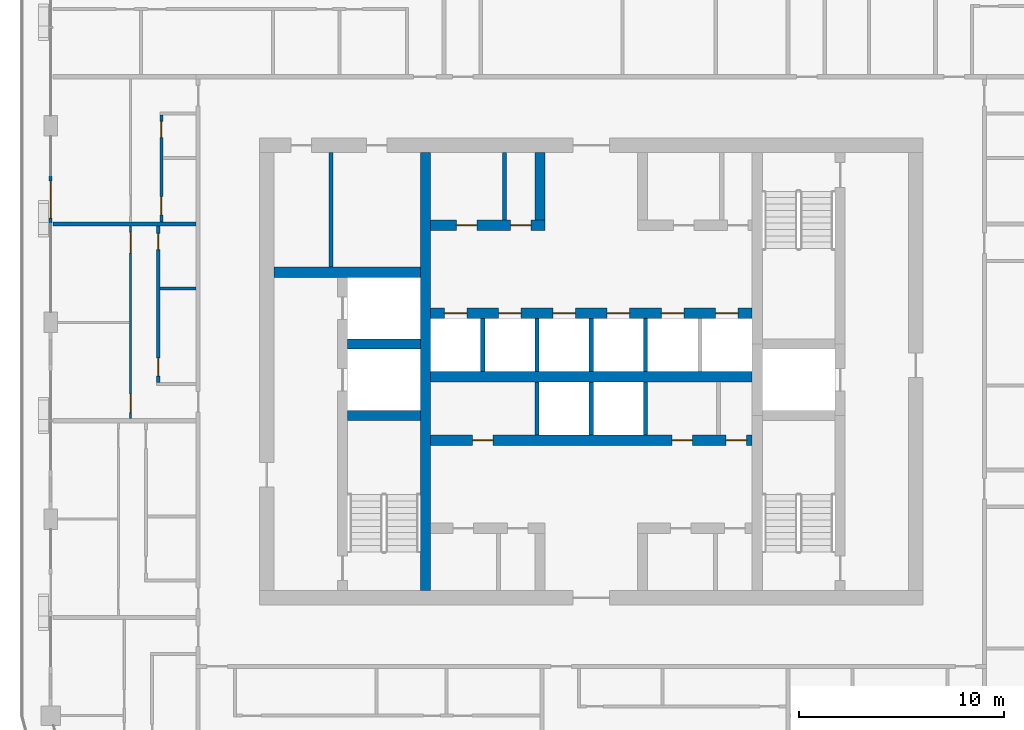
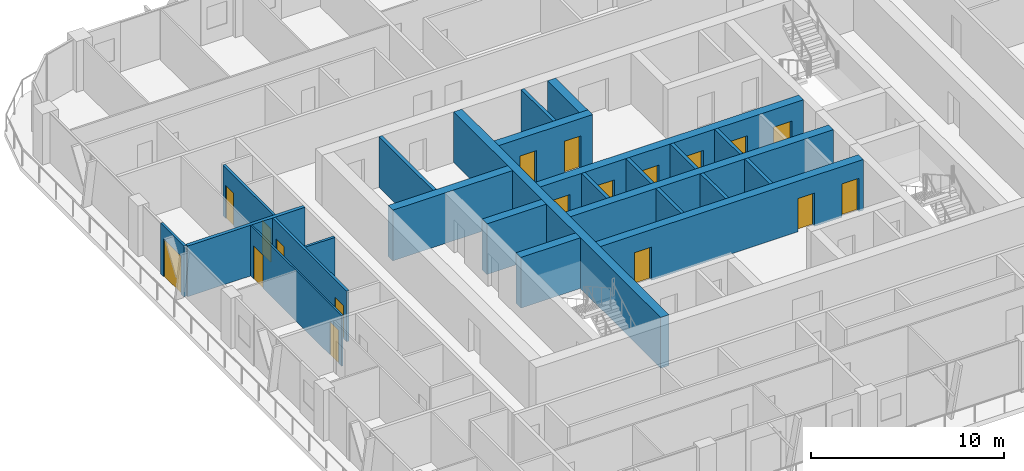
# One storey, part 11 of 23: 24 walls, 18 doors, 18 openings.
"""IFC4 building model written with IfcOpenShell, lengths in metres."""

from ifc_helpers import new_model, si_unit, direction, frame, frame_2d, origin, place, context, subcontext, project, spatial, rectangle, extrude, material, layer, layer_set, type_object, element, fill, save


model = new_model("IFC4")

# Units and contexts
model_context = context("Model", 3, precision=1e-05, world=origin(), true_north=direction((0.0, 1.0)))
body_context = subcontext(model_context, "Body", "Model", "MODEL_VIEW")
ifc_project = project(units=[si_unit("LENGTHUNIT", "METRE"), si_unit("AREAUNIT", "SQUARE_METRE"), si_unit("VOLUMEUNIT", "CUBIC_METRE"), si_unit("PLANEANGLEUNIT", "RADIAN"), si_unit("MASSUNIT", "GRAM", prefix="KILO")], contexts=[model_context])

# Site, building, storey
site_placement = place(None, origin())
site = spatial("IfcSite", under=ifc_project, at=site_placement, CompositionType="ELEMENT")
building_placement = place(site_placement, origin())
building = spatial("IfcBuilding", under=site, at=building_placement, Name="Madar Terraces", CompositionType="ELEMENT")
storey_placement = place(building_placement, frame((0.0, 0.0, 215.800048828125)))
storey = spatial("IfcBuildingStorey", under=building, at=storey_placement, Name="L56", CompositionType="ELEMENT", Elevation=215.800048828125)

# Walls
ifc_material_1 = material(Name="Concrete C60/75", Category="concrete")
ifc_layer_1 = layer(ifc_material_1, 0.5)
ifc_layer_set_1 = layer_set([ifc_layer_1], Name="Concrete C60/75 (CIW4 RC wall 500)")
wall_type_1 = type_object("IfcWallType", Name="CIW4 RC wall 500", PredefinedType="SHEAR", material=ifc_layer_set_1)
wall_1_placement = place(storey_placement, frame((23.10009765625, 15.699951171875, 0.0), z_axis=(0.0, 0.0, 1.0), x_axis=(0.0, 1.0, 0.0)))
element("IfcWall", 1, at=wall_1_placement, inside=storey, type_object=wall_type_1, Name="CORE SHAFT WALL", PredefinedType="SHEAR", context=body_context, shape_type="SweptSolid", body=[
    extrude(rectangle(XDim=21.400146484375, YDim=0.5, at=frame_2d((10.7001953125, 0.0))), origin(), (0.0, 0.0, 1.0), 3.199951171875),
])
for number, where, z_axis, x_axis, name in (
    (2, (19.300048828125, 24.25, 0.0), (0.0, 0.0, 1.0), (1.0, 0.0, 0.0), "CORE SHAFT WALL"),
    (3, (19.300048828125, 27.75, 0.0), (0.0, 0.0, 1.0), (1.0, 0.0, 0.0), "CORE SHAFT WALL"),
):
    element("IfcWall", number, at=place(storey_placement, frame(where, z_axis=z_axis, x_axis=x_axis)), inside=storey, type_object=wall_type_1, Name=name, PredefinedType="SHEAR", context=body_context, shape_type="SweptSolid", body=[
        extrude(rectangle(XDim=3.550048828125, YDim=0.5, at=frame_2d((1.77490234375, 0.0))), origin(), (0.0, 0.0, 1.0), 3.199951171875),
    ])
wall_2_placement = place(storey_placement, frame((15.699951171875, 31.25, 0.0), z_axis=(0.0, 0.0, 1.0), x_axis=(1.0, 0.0, 0.0)))
element("IfcWall", 4, at=wall_2_placement, inside=storey, type_object=wall_type_1, Name="CORE SHAFT WALL", PredefinedType="SHEAR", context=body_context, shape_type="SweptSolid", body=[
    extrude(rectangle(XDim=7.150146484375, YDim=0.5, at=frame_2d((3.5751953125, 0.0))), origin(), (0.0, 0.0, 1.0), 3.199951171875),
])

# Wall, openings, doors
wall_3_placement = place(storey_placement, frame((23.35009765625, 23.050048828125, 0.0), z_axis=(0.0, 0.0, 1.0), x_axis=(1.0, 0.0, 0.0)))
wall_3 = element("IfcWall", 5, at=wall_3_placement, inside=storey, type_object=wall_type_1, Name="CORE SHAFT WALL", PredefinedType="SHEAR", context=body_context, shape_type="SweptSolid", body=[
    extrude(rectangle(XDim=15.699951171875, YDim=0.5, at=frame_2d((7.85009765625, 0.0))), origin(), (0.0, 0.0, 1.0), 3.199951171875),
])
opening_1_placement = place(wall_3_placement, frame((2.050048828125, 0.0, 0.0)))
opening_1 = element("IfcOpeningElement", 6, at=opening_1_placement, cuts=wall_3, Name="Opening KD2", PredefinedType="OPENING", context=body_context, shape_type="SweptSolid", body=[
    extrude(rectangle(XDim=1.0, YDim=2.10009765625, at=frame_2d((0.5, 1.050048828125))), frame((0.0, 0.260009765625, 0.0), z_axis=(0.0, -1.0, 0.0), x_axis=(1.0, 0.0, 0.0)), (0.0, 0.0, 1.0), 0.52001953125),
])
opening_2_placement = place(wall_3_placement, frame((11.783935546875, 0.0, 0.0)))
opening_2 = element("IfcOpeningElement", 7, at=opening_2_placement, cuts=wall_3, Name="Opening KD2", PredefinedType="OPENING", context=body_context, shape_type="SweptSolid", body=[
    extrude(rectangle(XDim=1.0, YDim=2.10009765625, at=frame_2d((0.5, 1.050048828125))), frame((0.0, 0.260009765625, 0.0), z_axis=(0.0, -1.0, 0.0), x_axis=(1.0, 0.0, 0.0)), (0.0, 0.0, 1.0), 0.52001953125),
])
opening_3_placement = place(wall_3_placement, frame((14.43408203125, 0.0, 0.0)))
opening_3 = element("IfcOpeningElement", 8, at=opening_3_placement, cuts=wall_3, Name="Opening KD2", PredefinedType="OPENING", context=body_context, shape_type="SweptSolid", body=[
    extrude(rectangle(XDim=1.0, YDim=2.10009765625, at=frame_2d((0.5, 1.050048828125))), frame((0.0, 0.260009765625, 0.0), z_axis=(0.0, -1.0, 0.0), x_axis=(1.0, 0.0, 0.0)), (0.0, 0.0, 1.0), 0.52001953125),
])
ifc_material_2 = material(Name="Steel door leaf", Category="steel")
door_type_1 = type_object("IfcDoorType", Name="Service room door 1000 x 2100", OperationType="NOTDEFINED", PredefinedType="DOOR", material=ifc_material_2)
door_1_placement = place(opening_1_placement, frame((1.0, 0.0, 0.0), z_axis=(0.0, 0.0, 1.0), x_axis=(-1.0, 0.0, 0.0)))
door_1 = element("IfcDoor", 9, at=door_1_placement, inside=storey, type_object=door_type_1, Name="SERVICE ROOM DOOR", OperationType="SINGLE_SWING_LEFT", OverallHeight=2.10009765625, OverallWidth=1.0, PredefinedType="DOOR", context=body_context, shape_type="SweptSolid", body=[
    extrude(rectangle(XDim=1.0, YDim=2.10009765625, at=frame_2d((0.5, 1.050048828125))), frame((0.0, 0.02490234375, 0.0), z_axis=(0.0, -1.0, 0.0), x_axis=(1.0, 0.0, 0.0)), (0.0, 0.0, 1.0), 0.050048828125),
])
fill(opening_1, door_1)
door_2_placement = place(opening_2_placement, frame((1.0, 0.0, 0.0), z_axis=(0.0, 0.0, 1.0), x_axis=(-1.0, 0.0, 0.0)))
door_2 = element("IfcDoor", 10, at=door_2_placement, inside=storey, type_object=door_type_1, Name="SERVICE ROOM DOOR", OperationType="SINGLE_SWING_RIGHT", OverallHeight=2.10009765625, OverallWidth=1.0, PredefinedType="DOOR", context=body_context, shape_type="SweptSolid", body=[
    extrude(rectangle(XDim=1.0, YDim=2.10009765625, at=frame_2d((0.5, 1.050048828125))), frame((0.0, 0.02490234375, 0.0), z_axis=(0.0, -1.0, 0.0), x_axis=(1.0, 0.0, 0.0)), (0.0, 0.0, 1.0), 0.050048828125),
])
fill(opening_2, door_2)
door_3_placement = place(opening_3_placement, frame((1.0, 0.0, 0.0), z_axis=(0.0, 0.0, 1.0), x_axis=(-1.0, 0.0, 0.0)))
door_3 = element("IfcDoor", 11, at=door_3_placement, inside=storey, type_object=door_type_1, Name="SERVICE ROOM DOOR", OperationType="SINGLE_SWING_LEFT", OverallHeight=2.10009765625, OverallWidth=1.0, PredefinedType="DOOR", context=body_context, shape_type="SweptSolid", body=[
    extrude(rectangle(XDim=1.0, YDim=2.10009765625, at=frame_2d((0.5, 1.050048828125))), frame((0.0, 0.02490234375, 0.0), z_axis=(0.0, -1.0, 0.0), x_axis=(1.0, 0.0, 0.0)), (0.0, 0.0, 1.0), 0.050048828125),
])
fill(opening_3, door_3)

# Wall
wall_4_placement = place(storey_placement, frame((23.35009765625, 26.14990234375, 0.0), z_axis=(0.0, 0.0, 1.0), x_axis=(1.0, 0.0, 0.0)))
element("IfcWall", 12, at=wall_4_placement, inside=storey, type_object=wall_type_1, Name="CORE SHAFT WALL", PredefinedType="SHEAR", context=body_context, shape_type="SweptSolid", body=[
    extrude(rectangle(XDim=15.699951171875, YDim=0.5, at=frame_2d((7.85009765625, 0.0))), origin(), (0.0, 0.0, 1.0), 3.199951171875),
])

# Wall, openings, doors
wall_5_placement = place(storey_placement, frame((23.35009765625, 29.25, 0.0), z_axis=(0.0, 0.0, 1.0), x_axis=(1.0, 0.0, 0.0)))
wall_5 = element("IfcWall", 13, at=wall_5_placement, inside=storey, type_object=wall_type_1, Name="CORE SHAFT WALL", PredefinedType="SHEAR", context=body_context, shape_type="SweptSolid", body=[
    extrude(rectangle(XDim=15.699951171875, YDim=0.5, at=frame_2d((7.85009765625, 0.0))), origin(), (0.0, 0.0, 1.0), 3.199951171875),
])
opening_4_placement = place(wall_5_placement, frame((0.675048828125, 0.0, 0.0)))
opening_4 = element("IfcOpeningElement", 14, at=opening_4_placement, cuts=wall_5, Name="Opening LD", PredefinedType="OPENING", context=body_context, shape_type="SweptSolid", body=[
    extrude(rectangle(XDim=1.10009765625, YDim=2.10009765625, at=frame_2d((0.550048828125, 1.050048828125))), frame((0.0, 0.260009765625, 0.0), z_axis=(0.0, -1.0, 0.0), x_axis=(1.0, 0.0, 0.0)), (0.0, 0.0, 1.0), 0.52001953125),
])
opening_5_placement = place(wall_5_placement, frame((3.324951171875, 0.0, 0.0)))
opening_5 = element("IfcOpeningElement", 15, at=opening_5_placement, cuts=wall_5, Name="Opening LD", PredefinedType="OPENING", context=body_context, shape_type="SweptSolid", body=[
    extrude(rectangle(XDim=1.10009765625, YDim=2.10009765625, at=frame_2d((0.550048828125, 1.050048828125))), frame((0.0, 0.260009765625, 0.0), z_axis=(0.0, -1.0, 0.0), x_axis=(1.0, 0.0, 0.0)), (0.0, 0.0, 1.0), 0.52001953125),
])
opening_6_placement = place(wall_5_placement, frame((5.97509765625, 0.0, 0.0)))
opening_6 = element("IfcOpeningElement", 16, at=opening_6_placement, cuts=wall_5, Name="Opening LD", PredefinedType="OPENING", context=body_context, shape_type="SweptSolid", body=[
    extrude(rectangle(XDim=1.10009765625, YDim=2.10009765625, at=frame_2d((0.550048828125, 1.050048828125))), frame((0.0, 0.260009765625, 0.0), z_axis=(0.0, -1.0, 0.0), x_axis=(1.0, 0.0, 0.0)), (0.0, 0.0, 1.0), 0.52001953125),
])
opening_7_placement = place(wall_5_placement, frame((8.625, 0.0, 0.0)))
opening_7 = element("IfcOpeningElement", 17, at=opening_7_placement, cuts=wall_5, Name="Opening LD", PredefinedType="OPENING", context=body_context, shape_type="SweptSolid", body=[
    extrude(rectangle(XDim=1.10009765625, YDim=2.10009765625, at=frame_2d((0.550048828125, 1.050048828125))), frame((0.0, 0.260009765625, 0.0), z_axis=(0.0, -1.0, 0.0), x_axis=(1.0, 0.0, 0.0)), (0.0, 0.0, 1.0), 0.52001953125),
])
opening_8_placement = place(wall_5_placement, frame((11.27490234375, 0.0, 0.0)))
opening_8 = element("IfcOpeningElement", 18, at=opening_8_placement, cuts=wall_5, Name="Opening LD", PredefinedType="OPENING", context=body_context, shape_type="SweptSolid", body=[
    extrude(rectangle(XDim=1.10009765625, YDim=2.10009765625, at=frame_2d((0.550048828125, 1.050048828125))), frame((0.0, 0.260009765625, 0.0), z_axis=(0.0, -1.0, 0.0), x_axis=(1.0, 0.0, 0.0)), (0.0, 0.0, 1.0), 0.52001953125),
])
opening_9_placement = place(wall_5_placement, frame((13.925048828125, 0.0, 0.0)))
opening_9 = element("IfcOpeningElement", 19, at=opening_9_placement, cuts=wall_5, Name="Opening LD", PredefinedType="OPENING", context=body_context, shape_type="SweptSolid", body=[
    extrude(rectangle(XDim=1.10009765625, YDim=2.10009765625, at=frame_2d((0.550048828125, 1.050048828125))), frame((0.0, 0.260009765625, 0.0), z_axis=(0.0, -1.0, 0.0), x_axis=(1.0, 0.0, 0.0)), (0.0, 0.0, 1.0), 0.52001953125),
])
ifc_material_3 = material(Name="Stainless steel panel", Category="steel")
door_type_2 = type_object("IfcDoorType", Name="Lift landing door 1100 x 2100", OperationType="DOUBLE_DOOR_SLIDING", PredefinedType="DOOR", material=ifc_material_3)
door_4_placement = place(opening_4_placement, origin())
door_4 = element("IfcDoor", 20, at=door_4_placement, inside=storey, type_object=door_type_2, Name="LIFT LANDING DOOR", OperationType="DOUBLE_DOOR_SLIDING", OverallHeight=2.10009765625, OverallWidth=1.10009765625, PredefinedType="DOOR", context=body_context, shape_type="SweptSolid", body=[
    extrude(rectangle(XDim=1.10009765625, YDim=2.10009765625, at=frame_2d((0.550048828125, 1.050048828125))), frame((0.0, 0.02490234375, 0.0), z_axis=(0.0, -1.0, 0.0), x_axis=(1.0, 0.0, 0.0)), (0.0, 0.0, 1.0), 0.050048828125),
])
fill(opening_4, door_4)
door_5_placement = place(opening_5_placement, origin())
door_5 = element("IfcDoor", 21, at=door_5_placement, inside=storey, type_object=door_type_2, Name="LIFT LANDING DOOR", OperationType="DOUBLE_DOOR_SLIDING", OverallHeight=2.10009765625, OverallWidth=1.10009765625, PredefinedType="DOOR", context=body_context, shape_type="SweptSolid", body=[
    extrude(rectangle(XDim=1.10009765625, YDim=2.10009765625, at=frame_2d((0.550048828125, 1.050048828125))), frame((0.0, 0.02490234375, 0.0), z_axis=(0.0, -1.0, 0.0), x_axis=(1.0, 0.0, 0.0)), (0.0, 0.0, 1.0), 0.050048828125),
])
fill(opening_5, door_5)
door_6_placement = place(opening_6_placement, origin())
door_6 = element("IfcDoor", 22, at=door_6_placement, inside=storey, type_object=door_type_2, Name="LIFT LANDING DOOR", OperationType="DOUBLE_DOOR_SLIDING", OverallHeight=2.10009765625, OverallWidth=1.10009765625, PredefinedType="DOOR", context=body_context, shape_type="SweptSolid", body=[
    extrude(rectangle(XDim=1.10009765625, YDim=2.10009765625, at=frame_2d((0.550048828125, 1.050048828125))), frame((0.0, 0.02490234375, 0.0), z_axis=(0.0, -1.0, 0.0), x_axis=(1.0, 0.0, 0.0)), (0.0, 0.0, 1.0), 0.050048828125),
])
fill(opening_6, door_6)
door_7_placement = place(opening_7_placement, origin())
door_7 = element("IfcDoor", 23, at=door_7_placement, inside=storey, type_object=door_type_2, Name="LIFT LANDING DOOR", OperationType="DOUBLE_DOOR_SLIDING", OverallHeight=2.10009765625, OverallWidth=1.10009765625, PredefinedType="DOOR", context=body_context, shape_type="SweptSolid", body=[
    extrude(rectangle(XDim=1.10009765625, YDim=2.10009765625, at=frame_2d((0.550048828125, 1.050048828125))), frame((0.0, 0.02490234375, 0.0), z_axis=(0.0, -1.0, 0.0), x_axis=(1.0, 0.0, 0.0)), (0.0, 0.0, 1.0), 0.050048828125),
])
fill(opening_7, door_7)
door_8_placement = place(opening_8_placement, origin())
door_8 = element("IfcDoor", 24, at=door_8_placement, inside=storey, type_object=door_type_2, Name="LIFT LANDING DOOR", OperationType="DOUBLE_DOOR_SLIDING", OverallHeight=2.10009765625, OverallWidth=1.10009765625, PredefinedType="DOOR", context=body_context, shape_type="SweptSolid", body=[
    extrude(rectangle(XDim=1.10009765625, YDim=2.10009765625, at=frame_2d((0.550048828125, 1.050048828125))), frame((0.0, 0.02490234375, 0.0), z_axis=(0.0, -1.0, 0.0), x_axis=(1.0, 0.0, 0.0)), (0.0, 0.0, 1.0), 0.050048828125),
])
fill(opening_8, door_8)
door_9_placement = place(opening_9_placement, origin())
door_9 = element("IfcDoor", 25, at=door_9_placement, inside=storey, type_object=door_type_2, Name="LIFT LANDING DOOR", OperationType="DOUBLE_DOOR_SLIDING", OverallHeight=2.10009765625, OverallWidth=1.10009765625, PredefinedType="DOOR", context=body_context, shape_type="SweptSolid", body=[
    extrude(rectangle(XDim=1.10009765625, YDim=2.10009765625, at=frame_2d((0.550048828125, 1.050048828125))), frame((0.0, 0.02490234375, 0.0), z_axis=(0.0, -1.0, 0.0), x_axis=(1.0, 0.0, 0.0)), (0.0, 0.0, 1.0), 0.050048828125),
])
fill(opening_9, door_9)

wall_6_placement = place(storey_placement, frame((23.35009765625, 33.550048828125, 0.0), z_axis=(0.0, 0.0, 1.0), x_axis=(1.0, 0.0, 0.0)))
wall_6 = element("IfcWall", 26, at=wall_6_placement, inside=storey, type_object=wall_type_1, Name="CORE SHAFT WALL", PredefinedType="SHEAR", context=body_context, shape_type="SweptSolid", body=[
    extrude(rectangle(XDim=5.599853515625, YDim=0.5, at=frame_2d((2.7998046875, 0.0))), origin(), (0.0, 0.0, 1.0), 3.199951171875),
])
opening_10_placement = place(wall_6_placement, frame((1.260498046875, 0.0, 0.0)))
opening_10 = element("IfcOpeningElement", 27, at=opening_10_placement, cuts=wall_6, Name="Opening KD2", PredefinedType="OPENING", context=body_context, shape_type="SweptSolid", body=[
    extrude(rectangle(XDim=1.0, YDim=2.10009765625, at=frame_2d((0.5, 1.050048828125))), frame((0.0, 0.260009765625, 0.0), z_axis=(0.0, -1.0, 0.0), x_axis=(1.0, 0.0, 0.0)), (0.0, 0.0, 1.0), 0.52001953125),
])
opening_11_placement = place(wall_6_placement, frame((3.910400390625, 0.0, 0.0)))
opening_11 = element("IfcOpeningElement", 28, at=opening_11_placement, cuts=wall_6, Name="Opening KD2", PredefinedType="OPENING", context=body_context, shape_type="SweptSolid", body=[
    extrude(rectangle(XDim=1.0, YDim=2.10009765625, at=frame_2d((0.5, 1.050048828125))), frame((0.0, 0.260009765625, 0.0), z_axis=(0.0, -1.0, 0.0), x_axis=(1.0, 0.0, 0.0)), (0.0, 0.0, 1.0), 0.52001953125),
])
door_10_placement = place(opening_10_placement, frame((1.0, 0.0, 0.0), z_axis=(0.0, 0.0, 1.0), x_axis=(-1.0, 0.0, 0.0)))
door_10 = element("IfcDoor", 29, at=door_10_placement, inside=storey, type_object=door_type_1, Name="SERVICE ROOM DOOR", OperationType="SINGLE_SWING_RIGHT", OverallHeight=2.10009765625, OverallWidth=1.0, PredefinedType="DOOR", context=body_context, shape_type="SweptSolid", body=[
    extrude(rectangle(XDim=1.0, YDim=2.10009765625, at=frame_2d((0.5, 1.050048828125))), frame((0.0, 0.02490234375, 0.0), z_axis=(0.0, -1.0, 0.0), x_axis=(1.0, 0.0, 0.0)), (0.0, 0.0, 1.0), 0.050048828125),
])
fill(opening_10, door_10)
door_11_placement = place(opening_11_placement, frame((1.0, 0.0, 0.0), z_axis=(0.0, 0.0, 1.0), x_axis=(-1.0, 0.0, 0.0)))
door_11 = element("IfcDoor", 30, at=door_11_placement, inside=storey, type_object=door_type_1, Name="SERVICE ROOM DOOR", OperationType="SINGLE_SWING_LEFT", OverallHeight=2.10009765625, OverallWidth=1.0, PredefinedType="DOOR", context=body_context, shape_type="SweptSolid", body=[
    extrude(rectangle(XDim=1.0, YDim=2.10009765625, at=frame_2d((0.5, 1.050048828125))), frame((0.0, 0.02490234375, 0.0), z_axis=(0.0, -1.0, 0.0), x_axis=(1.0, 0.0, 0.0)), (0.0, 0.0, 1.0), 0.050048828125),
])
fill(opening_11, door_11)

# Walls
wall_7_placement = place(storey_placement, frame((28.699951171875, 33.800048828125, 0.0), z_axis=(0.0, 0.0, 1.0), x_axis=(0.0, 1.0, 0.0)))
element("IfcWall", 31, at=wall_7_placement, inside=storey, type_object=wall_type_1, Name="CORE SHAFT WALL", PredefinedType="SHEAR", context=body_context, shape_type="SweptSolid", body=[
    extrude(rectangle(XDim=3.300048828125, YDim=0.5, at=frame_2d((1.64990234375, 0.0))), origin(), (0.0, 0.0, 1.0), 3.199951171875),
])
ifc_material_4 = material(Name="Masonry blockwork", Category="masonry")
ifc_layer_2 = layer(ifc_material_4, 0.199951171875)
ifc_layer_set_2 = layer_set([ifc_layer_2], Name="Core partition 200 blockwork")
wall_type_2 = type_object("IfcWallType", Name="Core partition 200 blockwork", PredefinedType="PARTITIONING", material=ifc_layer_set_2)
wall_8_placement = place(storey_placement, frame((18.488525390625, 31.5, 0.0), z_axis=(0.0, 0.0, 1.0), x_axis=(0.0, 1.0, 0.0)))
element("IfcWall", 32, at=wall_8_placement, inside=storey, type_object=wall_type_2, Name="SERVICE ROOM PARTITION", PredefinedType="PARTITIONING", context=body_context, shape_type="SweptSolid", body=[
    extrude(rectangle(XDim=5.60009765625, YDim=0.199951171875, at=frame_2d((2.800048828125, 0.0))), origin(), (0.0, 0.0, 1.0), 3.199951171875),
])
wall_9_placement = place(storey_placement, frame((26.970947265625, 33.800048828125, 0.0), z_axis=(0.0, 0.0, 1.0), x_axis=(0.0, 1.0, 0.0)))
element("IfcWall", 33, at=wall_9_placement, inside=storey, type_object=wall_type_2, Name="SERVICE ROOM PARTITION", PredefinedType="PARTITIONING", context=body_context, shape_type="SweptSolid", body=[
    extrude(rectangle(XDim=3.300048828125, YDim=0.199951171875, at=frame_2d((1.64990234375, 0.0))), origin(), (0.0, 0.0, 1.0), 3.199951171875),
])
ifc_material_5 = material(Name="Concrete C40/50", Category="concrete")
ifc_layer_3 = layer(ifc_material_5, 0.199951171875)
ifc_layer_set_3 = layer_set([ifc_layer_3], Name="Core shaft dividing wall 200 C40/50")
wall_type_3 = type_object("IfcWallType", Name="Core shaft dividing wall 200 C40/50", PredefinedType="SOLIDWALL", material=ifc_layer_set_3)
wall_10_placement = place(storey_placement, frame((25.89990234375, 26.39990234375, 0.0), z_axis=(0.0, 0.0, 1.0), x_axis=(0.0, 1.0, 0.0)))
element("IfcWall", 34, at=wall_10_placement, inside=storey, type_object=wall_type_3, Name="SHAFT DIVIDING WALL", PredefinedType="SOLIDWALL", context=body_context, shape_type="SweptSolid", body=[
    extrude(rectangle(XDim=2.60009765625, YDim=0.199951171875, at=frame_2d((1.300048828125, 0.0))), origin(), (0.0, 0.0, 1.0), 3.199951171875),
])
wall_11_placement = place(storey_placement, frame((28.550048828125, 23.300048828125, 0.0), z_axis=(0.0, 0.0, 1.0), x_axis=(0.0, 1.0, 0.0)))
element("IfcWall", 35, at=wall_11_placement, inside=storey, type_object=wall_type_3, Name="SHAFT DIVIDING WALL", PredefinedType="SOLIDWALL", context=body_context, shape_type="SweptSolid", body=[
    extrude(rectangle(XDim=2.599853515625, YDim=0.199951171875, at=frame_2d((1.2998046875, 0.0))), origin(), (0.0, 0.0, 1.0), 3.199951171875),
])
wall_12_placement = place(storey_placement, frame((28.550048828125, 26.39990234375, 0.0), z_axis=(0.0, 0.0, 1.0), x_axis=(0.0, 1.0, 0.0)))
element("IfcWall", 36, at=wall_12_placement, inside=storey, type_object=wall_type_3, Name="SHAFT DIVIDING WALL", PredefinedType="SOLIDWALL", context=body_context, shape_type="SweptSolid", body=[
    extrude(rectangle(XDim=2.60009765625, YDim=0.199951171875, at=frame_2d((1.300048828125, 0.0))), origin(), (0.0, 0.0, 1.0), 3.199951171875),
])
wall_13_placement = place(storey_placement, frame((31.199951171875, 23.300048828125, 0.0), z_axis=(0.0, 0.0, 1.0), x_axis=(0.0, 1.0, 0.0)))
element("IfcWall", 37, at=wall_13_placement, inside=storey, type_object=wall_type_3, Name="SHAFT DIVIDING WALL", PredefinedType="SOLIDWALL", context=body_context, shape_type="SweptSolid", body=[
    extrude(rectangle(XDim=2.599853515625, YDim=0.199951171875, at=frame_2d((1.2998046875, 0.0))), origin(), (0.0, 0.0, 1.0), 3.199951171875),
])
wall_14_placement = place(storey_placement, frame((31.199951171875, 26.39990234375, 0.0), z_axis=(0.0, 0.0, 1.0), x_axis=(0.0, 1.0, 0.0)))
element("IfcWall", 38, at=wall_14_placement, inside=storey, type_object=wall_type_3, Name="SHAFT DIVIDING WALL", PredefinedType="SOLIDWALL", context=body_context, shape_type="SweptSolid", body=[
    extrude(rectangle(XDim=2.60009765625, YDim=0.199951171875, at=frame_2d((1.300048828125, 0.0))), origin(), (0.0, 0.0, 1.0), 3.199951171875),
])
wall_15_placement = place(storey_placement, frame((33.85009765625, 23.300048828125, 0.0), z_axis=(0.0, 0.0, 1.0), x_axis=(0.0, 1.0, 0.0)))
element("IfcWall", 39, at=wall_15_placement, inside=storey, type_object=wall_type_3, Name="SHAFT DIVIDING WALL", PredefinedType="SOLIDWALL", context=body_context, shape_type="SweptSolid", body=[
    extrude(rectangle(XDim=2.599853515625, YDim=0.199951171875, at=frame_2d((1.2998046875, 0.0))), origin(), (0.0, 0.0, 1.0), 3.199951171875),
])
wall_16_placement = place(storey_placement, frame((33.85009765625, 26.39990234375, 0.0), z_axis=(0.0, 0.0, 1.0), x_axis=(0.0, 1.0, 0.0)))
element("IfcWall", 40, at=wall_16_placement, inside=storey, type_object=wall_type_3, Name="SHAFT DIVIDING WALL", PredefinedType="SOLIDWALL", context=body_context, shape_type="SweptSolid", body=[
    extrude(rectangle(XDim=2.60009765625, YDim=0.199951171875, at=frame_2d((1.300048828125, 0.0))), origin(), (0.0, 0.0, 1.0), 3.199951171875),
])

# Wall, opening, door
ifc_material_6 = material(Name="Aluminium composite panel, black, over insulated backing", Category="aluminium")
ifc_layer_4 = layer(ifc_material_6, 0.14990234375)
ifc_layer_set_4 = layer_set([ifc_layer_4], Name="Facade bay panel 150")
wall_type_4 = type_object("IfcWallType", Name="Facade bay panel 150", PredefinedType="SOLIDWALL", material=ifc_layer_set_4)
wall_17_placement = place(storey_placement, frame((4.800048828125, 36.0, 0.0), z_axis=(0.0, 0.0, 1.0), x_axis=(0.0, -1.0, 0.0)))
wall_17 = element("IfcWall", 41, at=wall_17_placement, inside=storey, type_object=wall_type_4, Name="Facade bay panel", PredefinedType="SOLIDWALL", context=body_context, shape_type="SweptSolid", body=[
    extrude(rectangle(XDim=2.39990234375, YDim=0.14990234375, at=frame_2d((1.199951171875, 0.0))), origin(), (0.0, 0.0, 1.0), 3.199951171875),
])
opening_12_placement = place(wall_17_placement, frame((0.300048828125, 0.0, 0.0)))
opening_12 = element("IfcOpeningElement", 42, at=opening_12_placement, cuts=wall_17, Name="Opening ED1", PredefinedType="OPENING", context=body_context, shape_type="SweptSolid", body=[
    extrude(rectangle(XDim=1.800048828125, YDim=2.39990234375, at=frame_2d((0.89990234375, 1.199951171875))), frame((0.0, 0.0849609375, 0.0), z_axis=(0.0, -1.0, 0.0), x_axis=(1.0, 0.0, 0.0)), (0.0, 0.0, 1.0), 0.169921875),
])
ifc_material_7 = material(Name="Glass, clear, with black aluminium frame", Category="aluminium")
door_type_3 = type_object("IfcDoorType", Name="Balcony and terrace sliding door 1800 x 2400", OperationType="SLIDING_TO_LEFT", PredefinedType="DOOR", material=ifc_material_7)
door_12_placement = place(opening_12_placement, origin())
door_12 = element("IfcDoor", 43, at=door_12_placement, inside=storey, type_object=door_type_3, Name="Balcony door", OperationType="SLIDING_TO_LEFT", OverallHeight=2.39990234375, OverallWidth=1.800048828125, PredefinedType="DOOR", context=body_context, shape_type="SweptSolid", body=[
    extrude(rectangle(XDim=1.800048828125, YDim=2.39990234375, at=frame_2d((0.89990234375, 1.199951171875))), frame((0.0, 0.02490234375, 0.0), z_axis=(0.0, -1.0, 0.0), x_axis=(1.0, 0.0, 0.0)), (0.0, 0.0, 1.0), 0.050048828125),
])
fill(opening_12, door_12)

# Wall, openings, doors
ifc_material_8 = material(Name="Gypsum board on steel studs", Category="steel")
ifc_layer_5 = layer(ifc_material_8, 0.10009765625)
ifc_layer_set_5 = layer_set([ifc_layer_5], Name="Flat partition 100")
wall_type_5 = type_object("IfcWallType", Name="Flat partition 100", PredefinedType="PARTITIONING", material=ifc_layer_set_5)
wall_18_placement = place(storey_placement, frame((8.699951171875, 24.10009765625, 0.0), z_axis=(0.0, 0.0, 1.0), x_axis=(0.0, 1.0, 0.0)))
wall_18 = element("IfcWall", 44, at=wall_18_placement, inside=storey, type_object=wall_type_5, Name="Flat partition 100", PredefinedType="PARTITIONING", context=body_context, shape_type="SweptSolid", body=[
    extrude(rectangle(XDim=9.39990234375, YDim=0.10009765625, at=frame_2d((4.699951171875, 0.0))), origin(), (0.0, 0.0, 1.0), 3.199951171875),
])
opening_13_placement = place(wall_18_placement, frame((0.300048828125, 0.0, 0.0)))
opening_13 = element("IfcOpeningElement", 45, at=opening_13_placement, cuts=wall_18, Name="Opening D2", PredefinedType="OPENING", context=body_context, shape_type="SweptSolid", body=[
    extrude(rectangle(XDim=0.89990234375, YDim=2.10009765625, at=frame_2d((0.449951171875, 1.050048828125))), frame((0.0, 0.06005859375, 0.0), z_axis=(0.0, -1.0, 0.0), x_axis=(1.0, 0.0, 0.0)), (0.0, 0.0, 1.0), 0.1201171875),
])
opening_14_placement = place(wall_18_placement, frame((8.10009765625, 0.0, 0.0)))
opening_14 = element("IfcOpeningElement", 46, at=opening_14_placement, cuts=wall_18, Name="Opening D3", PredefinedType="OPENING", context=body_context, shape_type="SweptSolid", body=[
    extrude(rectangle(XDim=1.0, YDim=2.10009765625, at=frame_2d((0.5, 1.050048828125))), frame((0.0, 0.06005859375, 0.0), z_axis=(0.0, -1.0, 0.0), x_axis=(1.0, 0.0, 0.0)), (0.0, 0.0, 1.0), 0.1201171875),
])
ifc_material_9 = material(Name="Timber door leaf", Category="wood")
door_type_4 = type_object("IfcDoorType", Name="Flat living room door 1000", OperationType="NOTDEFINED", PredefinedType="DOOR", material=ifc_material_9)
door_13_placement = place(opening_14_placement, origin())
door_13 = element("IfcDoor", 47, at=door_13_placement, inside=storey, type_object=door_type_4, Name="Flat living room door 1000", OperationType="SINGLE_SWING_RIGHT", OverallHeight=2.10009765625, OverallWidth=1.0, PredefinedType="DOOR", context=body_context, shape_type="SweptSolid", body=[
    extrude(rectangle(XDim=1.0, YDim=2.10009765625, at=frame_2d((0.5, 1.050048828125))), frame((0.0, 0.02490234375, 0.0), z_axis=(0.0, -1.0, 0.0), x_axis=(1.0, 0.0, 0.0)), (0.0, 0.0, 1.0), 0.050048828125),
])
fill(opening_14, door_13)
ifc_material_10 = material(Name="Timber door leaf", Category="wood")
door_type_5 = type_object("IfcDoorType", Name="Flat room door 900", OperationType="NOTDEFINED", PredefinedType="DOOR", material=ifc_material_10)
door_14_placement = place(opening_13_placement, origin())
door_14 = element("IfcDoor", 48, at=door_14_placement, inside=storey, type_object=door_type_5, Name="Flat room door 900", OperationType="SINGLE_SWING_LEFT", OverallHeight=2.10009765625, OverallWidth=0.89990234375, PredefinedType="DOOR", context=body_context, shape_type="SweptSolid", body=[
    extrude(rectangle(XDim=0.89990234375, YDim=2.10009765625, at=frame_2d((0.449951171875, 1.050048828125))), frame((0.0, 0.02490234375, 0.0), z_axis=(0.0, -1.0, 0.0), x_axis=(1.0, 0.0, 0.0)), (0.0, 0.0, 1.0), 0.050048828125),
])
fill(opening_13, door_14)

# Wall
ifc_material_11 = material(Name="Lightweight blockwork", Category="masonry")
ifc_layer_6 = layer(ifc_material_11, 0.199951171875)
ifc_layer_set_6 = layer_set([ifc_layer_6], Name="Flat party and entrance wall 200")
wall_type_6 = type_object("IfcWallType", Name="Flat party and entrance wall 200", PredefinedType="PARTITIONING", material=ifc_layer_set_6)
wall_19_placement = place(storey_placement, frame((4.89990234375, 33.60009765625, 0.0), z_axis=(0.0, 0.0, 1.0), x_axis=(1.0, 0.0, 0.0)))
element("IfcWall", 49, at=wall_19_placement, inside=storey, type_object=wall_type_6, Name="Flat party and entrance wall 200", PredefinedType="PARTITIONING", context=body_context, shape_type="SweptSolid", body=[
    extrude(rectangle(XDim=7.0, YDim=0.199951171875, at=frame_2d((3.5, 0.0))), origin(), (0.0, 0.0, 1.0), 3.199951171875),
])

# Wall, openings, doors
ifc_material_12 = material(Name="Lightweight blockwork", Category="masonry")
ifc_layer_7 = layer(ifc_material_12, 0.14990234375)
ifc_layer_set_7 = layer_set([ifc_layer_7], Name="Flat wet-room partition 150")
wall_type_7 = type_object("IfcWallType", Name="Flat wet-room partition 150", PredefinedType="PARTITIONING", material=ifc_layer_set_7)
wall_20_placement = place(storey_placement, frame((10.199951171875, 38.925048828125, 0.0), z_axis=(0.0, 0.0, 1.0), x_axis=(0.0, -1.0, 0.0)))
wall_20 = element("IfcWall", 50, at=wall_20_placement, inside=storey, type_object=wall_type_7, Name="Flat wet-room partition 150", PredefinedType="PARTITIONING", context=body_context, shape_type="SweptSolid", body=[
    extrude(rectangle(XDim=5.22509765625, YDim=0.14990234375, at=frame_2d((2.612548828125, 0.0))), origin(), (0.0, 0.0, 1.0), 3.199951171875),
])
opening_15_placement = place(wall_20_placement, frame((0.300048828125, 0.0, 0.0)))
opening_15 = element("IfcOpeningElement", 51, at=opening_15_placement, cuts=wall_20, Name="Opening D4", PredefinedType="OPENING", context=body_context, shape_type="SweptSolid", body=[
    extrude(rectangle(XDim=0.800048828125, YDim=2.10009765625, at=frame_2d((0.39990234375, 1.050048828125))), frame((0.0, 0.0849609375, 0.0), z_axis=(0.0, -1.0, 0.0), x_axis=(1.0, 0.0, 0.0)), (0.0, 0.0, 1.0), 0.169921875),
])
opening_16_placement = place(wall_20_placement, frame((3.97509765625, 0.0, 0.0)))
opening_16 = element("IfcOpeningElement", 52, at=opening_16_placement, cuts=wall_20, Name="Opening D2", PredefinedType="OPENING", context=body_context, shape_type="SweptSolid", body=[
    extrude(rectangle(XDim=0.89990234375, YDim=2.10009765625, at=frame_2d((0.449951171875, 1.050048828125))), frame((0.0, 0.0849609375, 0.0), z_axis=(0.0, -1.0, 0.0), x_axis=(1.0, 0.0, 0.0)), (0.0, 0.0, 1.0), 0.169921875),
])
ifc_material_13 = material(Name="Timber door leaf", Category="wood")
door_type_6 = type_object("IfcDoorType", Name="Flat bathroom door 800", OperationType="NOTDEFINED", PredefinedType="DOOR", material=ifc_material_13)
door_15_placement = place(opening_15_placement, origin())
door_15 = element("IfcDoor", 53, at=door_15_placement, inside=storey, type_object=door_type_6, Name="Flat bathroom door 800", OperationType="SINGLE_SWING_LEFT", OverallHeight=2.10009765625, OverallWidth=0.800048828125, PredefinedType="DOOR", context=body_context, shape_type="SweptSolid", body=[
    extrude(rectangle(XDim=0.800048828125, YDim=2.10009765625, at=frame_2d((0.39990234375, 1.050048828125))), frame((0.0, 0.02490234375, 0.0), z_axis=(0.0, -1.0, 0.0), x_axis=(1.0, 0.0, 0.0)), (0.0, 0.0, 1.0), 0.050048828125),
])
fill(opening_15, door_15)
door_16_placement = place(opening_16_placement, origin())
door_16 = element("IfcDoor", 54, at=door_16_placement, inside=storey, type_object=door_type_5, Name="Flat room door 900", OperationType="SINGLE_SWING_RIGHT", OverallHeight=2.10009765625, OverallWidth=0.89990234375, PredefinedType="DOOR", context=body_context, shape_type="SweptSolid", body=[
    extrude(rectangle(XDim=0.89990234375, YDim=2.10009765625, at=frame_2d((0.449951171875, 1.050048828125))), frame((0.0, 0.02490234375, 0.0), z_axis=(0.0, -1.0, 0.0), x_axis=(1.0, 0.0, 0.0)), (0.0, 0.0, 1.0), 0.050048828125),
])
fill(opening_16, door_16)

# Wall
wall_21_placement = place(storey_placement, frame((11.89990234375, 30.449951171875, 0.0), z_axis=(0.0, 0.0, 1.0), x_axis=(-1.0, 0.0, 0.0)))
element("IfcWall", 55, at=wall_21_placement, inside=storey, type_object=wall_type_7, Name="Flat wet-room partition 150", PredefinedType="PARTITIONING", context=body_context, shape_type="SweptSolid", body=[
    extrude(rectangle(XDim=1.77490234375, YDim=0.14990234375, at=frame_2d((0.887451171875, 0.0))), origin(), (0.0, 0.0, 1.0), 3.199951171875),
])

# Wall, openings, doors
wall_22_placement = place(storey_placement, frame((10.050048828125, 33.5, 0.0), z_axis=(0.0, 0.0, 1.0), x_axis=(0.0, -1.0, 0.0)))
wall_22 = element("IfcWall", 56, at=wall_22_placement, inside=storey, type_object=wall_type_7, Name="Flat wet-room partition 150", PredefinedType="PARTITIONING", context=body_context, shape_type="SweptSolid", body=[
    extrude(rectangle(XDim=7.625, YDim=0.14990234375, at=frame_2d((3.8125, 0.0))), origin(), (0.0, 0.0, 1.0), 3.199951171875),
])
opening_17_placement = place(wall_22_placement, frame((6.425048828125, 0.0, 0.0)))
opening_17 = element("IfcOpeningElement", 57, at=opening_17_placement, cuts=wall_22, Name="Opening D2", PredefinedType="OPENING", context=body_context, shape_type="SweptSolid", body=[
    extrude(rectangle(XDim=0.89990234375, YDim=2.10009765625, at=frame_2d((0.449951171875, 1.050048828125))), frame((0.0, 0.0849609375, 0.0), z_axis=(0.0, -1.0, 0.0), x_axis=(1.0, 0.0, 0.0)), (0.0, 0.0, 1.0), 0.169921875),
])
opening_18_placement = place(wall_22_placement, frame((0.35009765625, 0.0, 0.0)))
opening_18 = element("IfcOpeningElement", 58, at=opening_18_placement, cuts=wall_22, Name="Opening D4", PredefinedType="OPENING", context=body_context, shape_type="SweptSolid", body=[
    extrude(rectangle(XDim=0.800048828125, YDim=2.10009765625, at=frame_2d((0.39990234375, 1.050048828125))), frame((0.0, 0.0849609375, 0.0), z_axis=(0.0, -1.0, 0.0), x_axis=(1.0, 0.0, 0.0)), (0.0, 0.0, 1.0), 0.169921875),
])
door_17_placement = place(opening_18_placement, origin())
door_17 = element("IfcDoor", 59, at=door_17_placement, inside=storey, type_object=door_type_6, Name="Flat bathroom door 800", OperationType="SINGLE_SWING_LEFT", OverallHeight=2.10009765625, OverallWidth=0.800048828125, PredefinedType="DOOR", context=body_context, shape_type="SweptSolid", body=[
    extrude(rectangle(XDim=0.800048828125, YDim=2.10009765625, at=frame_2d((0.39990234375, 1.050048828125))), frame((0.0, 0.02490234375, 0.0), z_axis=(0.0, -1.0, 0.0), x_axis=(1.0, 0.0, 0.0)), (0.0, 0.0, 1.0), 0.050048828125),
])
fill(opening_18, door_17)
door_18_placement = place(opening_17_placement, origin())
door_18 = element("IfcDoor", 60, at=door_18_placement, inside=storey, type_object=door_type_5, Name="Flat room door 900", OperationType="SINGLE_SWING_RIGHT", OverallHeight=2.10009765625, OverallWidth=0.89990234375, PredefinedType="DOOR", context=body_context, shape_type="SweptSolid", body=[
    extrude(rectangle(XDim=0.89990234375, YDim=2.10009765625, at=frame_2d((0.449951171875, 1.050048828125))), frame((0.0, 0.02490234375, 0.0), z_axis=(0.0, -1.0, 0.0), x_axis=(1.0, 0.0, 0.0)), (0.0, 0.0, 1.0), 0.050048828125),
])
fill(opening_17, door_18)

save(model, "model.ifc")
